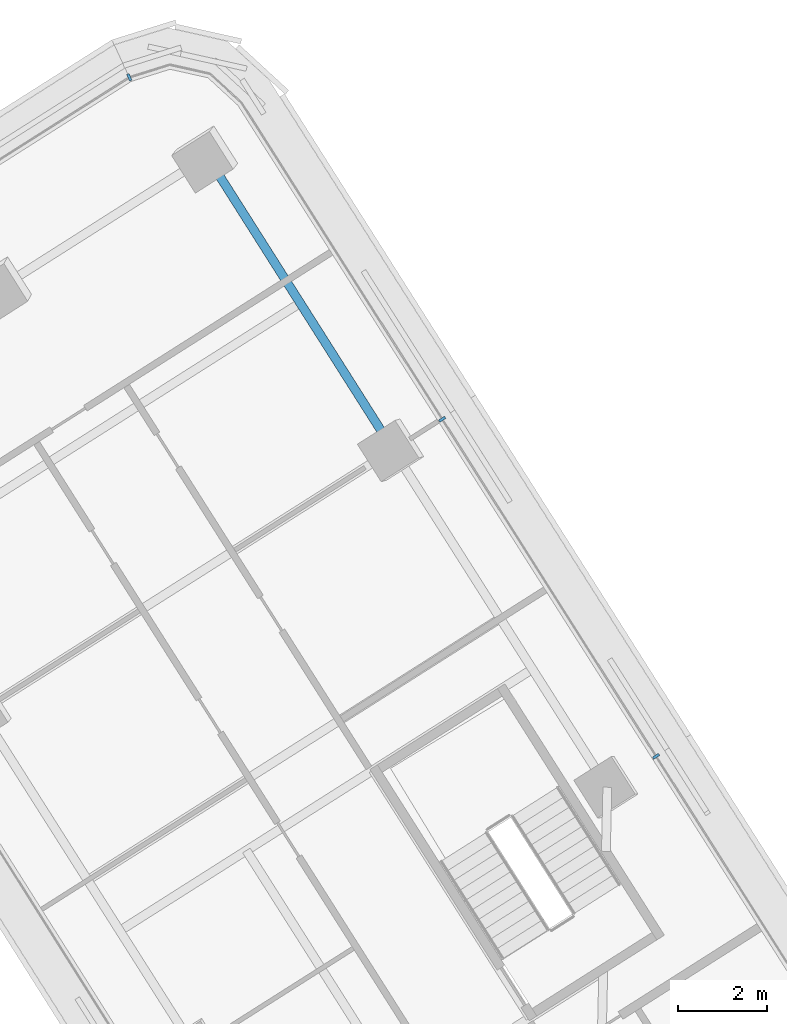
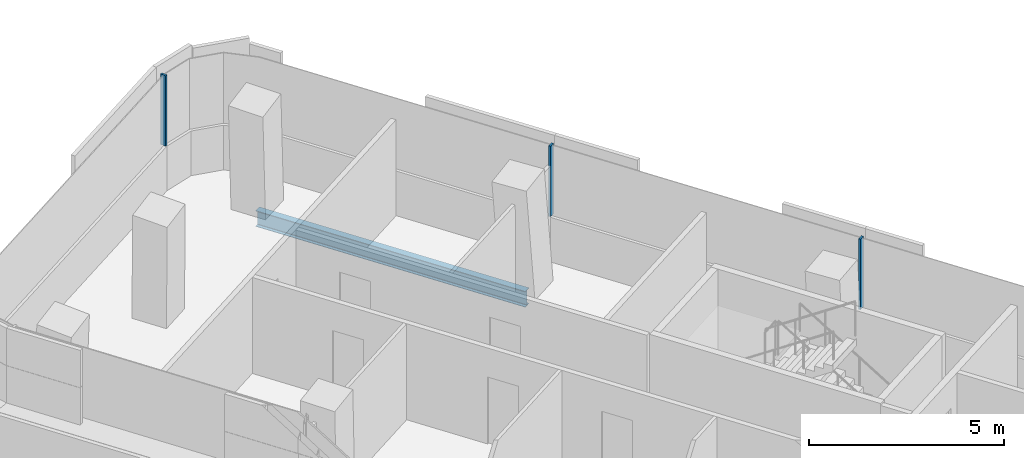
# One storey, part 19 of 36: 3 members, 1 beam, 2 elements without a shape of their own.
"""IFC4 building model written with IfcOpenShell, lengths in metres."""

from ifc_helpers import new_model, si_unit, direction, frame, origin, origin_2d, place, context, subcontext, project, spatial, rectangle, i_section, extrude, material, layer, layer_set, material_profile, profile_set, type_object, element, aggregate, save


model = new_model("IFC4")

# Units and contexts
model_context = context("Model", 3, precision=1e-05, world=origin(), true_north=direction((0.0, 1.0)))
body_context = subcontext(model_context, "Body", "Model", "MODEL_VIEW")
ifc_project = project(units=[si_unit("LENGTHUNIT", "METRE"), si_unit("AREAUNIT", "SQUARE_METRE"), si_unit("VOLUMEUNIT", "CUBIC_METRE"), si_unit("PLANEANGLEUNIT", "RADIAN"), si_unit("MASSUNIT", "GRAM", prefix="KILO")], contexts=[model_context])

# Site, building, storey
site_placement = place(None, origin())
site = spatial("IfcSite", under=ifc_project, at=site_placement, CompositionType="ELEMENT")
building_placement = place(site_placement, origin())
building = spatial("IfcBuilding", under=site, at=building_placement, Name="Tamarind Cross Interchange Tower", CompositionType="ELEMENT")
storey_placement = place(building_placement, frame((0.0, 0.0, 151.75)))
storey = spatial("IfcBuildingStorey", under=building, at=storey_placement, Name="L37", CompositionType="ELEMENT", Elevation=151.75)

# Beam
ifc_material_1 = material(Name="Steel Q355B", Category="steel")
ifc_material_profile_1 = material_profile(ifc_material_1, i_section(OverallWidth=0.198974609375, OverallDepth=0.49609375, WebThickness=0.009033203125, FlangeThickness=0.013916015625, FilletRadius=0.012939453125, at=origin_2d()), Name="HN 496x199x9x14")
ifc_profile_set_1 = profile_set([ifc_material_profile_1], Name="Steel Q355B")
beam_type = type_object("IfcBeamType", Name="Composite beam HN 496x199x9x14 Q355B", PredefinedType="BEAM", material=ifc_profile_set_1)
beam_placement = place(storey_placement, frame((-8.811279296875, 46.157958984375, -0.387939453125), z_axis=(0.53567290687, -0.844425566196, 0.0), x_axis=(0.844425566196, 0.53567290687, 0.0)))
element("IfcBeam", 1, at=beam_placement, inside=storey, type_object=beam_type, Name="Beam N-edgeem5", PredefinedType="BEAM", context=body_context, shape_type="SweptSolid", body=[
    extrude(i_section(OverallWidth=0.198974609375, OverallDepth=0.49609375, WebThickness=0.009033203125, FlangeThickness=0.013916015625, FilletRadius=0.012939453125, at=origin_2d()), origin(), (0.0, 0.0, 1.0), 7.819580078125),
])

# Curtain wall, member
ifc_material_2 = material(Name="Aluminium 6063-T6", Category="aluminium")
ifc_layer = layer(ifc_material_2, 0.159912109375)
ifc_layer_set = layer_set([ifc_layer], Name="Aluminium 6063-T6")
curtain_wall_type = type_object("IfcCurtainWallType", Name="Office curtain wall, 9.0 m bays", PredefinedType="NOTDEFINED", material=ifc_layer_set)
curtain_wall_1_placement = place(storey_placement, origin())
curtain_wall_1 = element("IfcCurtainWall", 2, at=curtain_wall_1_placement, inside=storey, type_object=curtain_wall_type, Name="CWS-L37-00", PredefinedType="NOTDEFINED")
ifc_material_profile_2 = material_profile(ifc_material_2, rectangle(XDim=0.06005859375, YDim=0.159912109375, at=origin_2d()), Name="Mullion CW1")
ifc_profile_set_2 = profile_set([ifc_material_profile_2], Name="Aluminium 6063-T6")
member_type = type_object("IfcMemberType", Name="Mullion CW1", PredefinedType="MULLION", material=ifc_profile_set_2)
member_1_placement = place(storey_placement, frame((-10.562744140625, 47.9365234375, 1.39990234375), z_axis=(0.0, 0.0, 1.0), x_axis=(-0.907126299727, -0.420858499194, 0.0)))
member_1 = element("IfcMember", 3, at=member_1_placement, type_object=member_type, Name="CWM-L37-00-00", PredefinedType="MULLION", context=body_context, shape_type="SweptSolid", body=[
    extrude(rectangle(XDim=0.06005859375, YDim=0.159912109375, at=origin_2d()), origin(), (0.0, 0.0, 1.0), 2.210205078125),
])
aggregate(curtain_wall_1, [member_1])

# Curtain wall, members
curtain_wall_2_placement = place(storey_placement, origin())
curtain_wall_2 = element("IfcCurtainWall", 4, at=curtain_wall_2_placement, inside=storey, type_object=curtain_wall_type, Name="CWS-L37-15", PredefinedType="NOTDEFINED")
member_2_placement = place(storey_placement, frame((1.295654296875, 32.652099609375, 1.39990234375), z_axis=(0.0, 0.0, 1.0), x_axis=(-0.535661738157, 0.844432651118, 0.0)))
member_2 = element("IfcMember", 5, at=member_2_placement, type_object=member_type, Name="CWM-L37-15-01", PredefinedType="MULLION", context=body_context, shape_type="SweptSolid", body=[
    extrude(rectangle(XDim=0.06005859375, YDim=0.159912109375, at=origin_2d()), origin(), (0.0, 0.0, 1.0), 2.210205078125),
])
member_3_placement = place(storey_placement, frame((-3.517822265625, 40.240234375, 1.39990234375), z_axis=(0.0, 0.0, 1.0), x_axis=(-0.535661738157, 0.844432651118, 0.0)))
member_3 = element("IfcMember", 6, at=member_3_placement, type_object=member_type, Name="CWM-L37-15-02", PredefinedType="MULLION", context=body_context, shape_type="SweptSolid", body=[
    extrude(rectangle(XDim=0.06005859375, YDim=0.159912109375, at=origin_2d()), origin(), (0.0, 0.0, 1.0), 2.210205078125),
])
aggregate(curtain_wall_2, [member_2, member_3])

save(model, "model.ifc")
